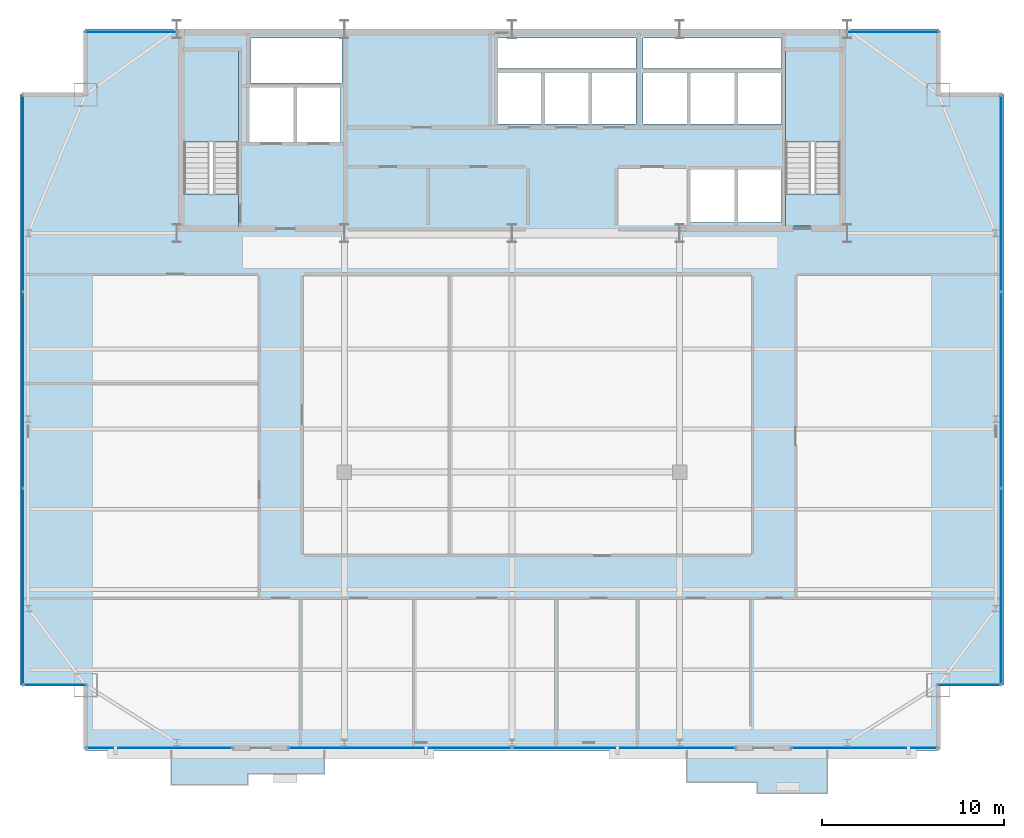
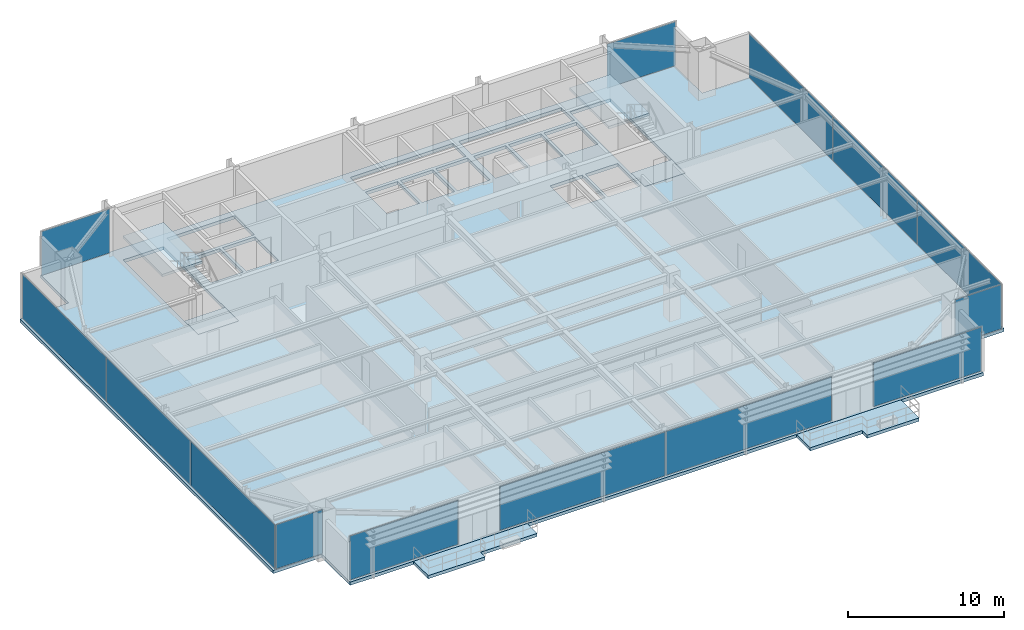
# One storey, part 23 of 30: 14 plates, 7 slabs, 11 elements without a shape of their own.
"""IFC4 building model written with IfcOpenShell, lengths in metres."""

from ifc_helpers import new_model, si_unit, direction, frame, origin, origin_2d, place, context, subcontext, project, spatial, polyline, rectangle, outline, extrude, source, transform, mapped, material, layer, layer_set, type_object, type_shapes, element, aggregate, save


model = new_model("IFC4")

# Units and contexts
model_context = context("Model", 3, precision=1e-05, world=origin(), true_north=direction((0.0, 1.0)))
body_context = subcontext(model_context, "Body", "Model", "MODEL_VIEW")
ifc_project = project(units=[si_unit("LENGTHUNIT", "METRE"), si_unit("AREAUNIT", "SQUARE_METRE"), si_unit("VOLUMEUNIT", "CUBIC_METRE"), si_unit("PLANEANGLEUNIT", "RADIAN"), si_unit("MASSUNIT", "GRAM", prefix="KILO")], contexts=[model_context])

# Site, building, storey
site_placement = place(None, origin())
site = spatial("IfcSite", under=ifc_project, at=site_placement, CompositionType="ELEMENT")
building_placement = place(site_placement, origin())
building = spatial("IfcBuilding", under=site, at=building_placement, Name="Varnel Quay Broadcast Tower", CompositionType="ELEMENT")
storey_placement = place(building_placement, frame((0.0, 0.0, 168.60009765625)))
storey = spatial("IfcBuildingStorey", under=building, at=storey_placement, Name="L41", CompositionType="ELEMENT", Elevation=168.60009765625)

# Slabs
ifc_material_1 = material(Name="Concrete CSA A23.3 C40/50", Category="concrete")
ifc_layer_1 = layer(ifc_material_1, 0.25, Name="Concrete CSA A23.3 C40/50")
ifc_layer_set_1 = layer_set([ifc_layer_1], Name="Concrete CSA A23.3 C40/50")
slab_type_1 = type_object("IfcSlabType", Name="Slab_ExtTerrace250", PredefinedType="FLOOR", material=ifc_layer_set_1)
slab_1_placement = place(storey_placement, frame((0.0, 0.0, -0.25)))
element("IfcSlab", 1, at=slab_1_placement, inside=storey, type_object=slab_type_1, Name="L41 Planted Lobe Terrace Slab 1", PredefinedType="FLOOR", context=body_context, shape_type="SweptSolid", body=[
    extrude(outline(polyline([(15.300048828125, 5.3330078125), (19.5, 5.3330078125), (19.5, 5.93310546875), (23.699951171875, 5.93310546875), (23.699951171875, 7.199951171875), (15.300048828125, 7.199951171875), (15.300048828125, 5.3330078125)])), origin(), (0.0, 0.0, 1.0), 0.25),
])
slab_2_placement = place(storey_placement, frame((0.0, 0.0, -0.25)))
element("IfcSlab", 2, at=slab_2_placement, inside=storey, type_object=slab_type_1, Name="L41 Planted Lobe Terrace Slab 2", PredefinedType="FLOOR", context=body_context, shape_type="SweptSolid", body=[
    extrude(outline(polyline([(43.60009765625, 5.467041015625), (47.449951171875, 5.467041015625), (47.449951171875, 4.866943359375), (51.300048828125, 4.866943359375), (51.300048828125, 7.199951171875), (43.60009765625, 7.199951171875), (43.60009765625, 5.467041015625)])), origin(), (0.0, 0.0, 1.0), 0.25),
])
ifc_material_2 = material(Name="Concrete CSA A23.3 C50/60", Category="concrete")
ifc_layer_2 = layer(ifc_material_2, 0.25, Name="Concrete CSA A23.3 C50/60")
ifc_layer_set_2 = layer_set([ifc_layer_2], Name="Concrete CSA A23.3 C50/60")
slab_type_2 = type_object("IfcSlabType", Name="Slab_Floor250", PredefinedType="FLOOR", material=ifc_layer_set_2)
slab_3_placement = place(storey_placement, frame((0.0, 0.0, -0.25)))
element("IfcSlab", 3, at=slab_3_placement, inside=storey, type_object=slab_type_2, Name="L41 Structural Slab", PredefinedType="FLOOR", context=body_context, shape_type="SweptSolid", body=[
    extrude(outline(polyline([(10.60009765625, 7.199951171875), (57.39990234375, 7.199951171875), (57.39990234375, 10.800048828125), (61.0, 10.800048828125), (61.0, 43.199951171875), (57.39990234375, 43.199951171875), (57.39990234375, 46.800048828125), (10.60009765625, 46.800048828125), (10.60009765625, 43.199951171875), (7.0, 43.199951171875), (7.0, 10.800048828125), (10.60009765625, 10.800048828125), (10.60009765625, 7.199951171875)]), holes=[polyline([(19.0, 36.0), (16.0, 36.0), (16.0, 45.60009765625), (19.0, 45.60009765625), (19.0, 36.0)]), polyline([(19.60009765625, 43.60009765625), (22.0, 43.60009765625), (22.0, 40.60009765625), (19.60009765625, 40.60009765625), (19.60009765625, 43.60009765625)]), polyline([(22.199951171875, 43.60009765625), (24.60009765625, 43.60009765625), (24.60009765625, 40.60009765625), (22.199951171875, 40.60009765625), (22.199951171875, 43.60009765625)]), polyline([(33.199951171875, 44.39990234375), (35.60009765625, 44.39990234375), (35.60009765625, 41.60009765625), (33.199951171875, 41.60009765625), (33.199951171875, 44.39990234375)]), polyline([(35.800048828125, 44.39990234375), (38.199951171875, 44.39990234375), (38.199951171875, 41.60009765625), (35.800048828125, 41.60009765625), (35.800048828125, 44.39990234375)]), polyline([(38.39990234375, 44.39990234375), (40.800048828125, 44.39990234375), (40.800048828125, 41.60009765625), (38.39990234375, 41.60009765625), (38.39990234375, 44.39990234375)]), polyline([(19.64990234375, 46.300048828125), (24.679931640625, 46.300048828125), (24.679931640625, 43.85009765625), (19.64990234375, 43.85009765625), (19.64990234375, 46.300048828125)]), polyline([(33.199951171875, 46.300048828125), (40.800048828125, 46.300048828125), (40.800048828125, 44.64990234375), (33.199951171875, 44.64990234375), (33.199951171875, 46.300048828125)]), polyline([(43.800048828125, 39.10009765625), (46.199951171875, 39.10009765625), (46.199951171875, 36.199951171875), (43.800048828125, 36.199951171875), (43.800048828125, 39.10009765625)]), polyline([(46.39990234375, 39.10009765625), (48.800048828125, 39.10009765625), (48.800048828125, 36.199951171875), (46.39990234375, 36.199951171875), (46.39990234375, 39.10009765625)]), polyline([(49.0, 36.0), (49.0, 45.60009765625), (52.0, 45.60009765625), (52.0, 36.0), (49.0, 36.0)]), polyline([(41.199951171875, 44.39990234375), (43.60009765625, 44.39990234375), (43.60009765625, 41.60009765625), (41.199951171875, 41.60009765625), (41.199951171875, 44.39990234375)]), polyline([(43.800048828125, 44.39990234375), (46.199951171875, 44.39990234375), (46.199951171875, 41.60009765625), (43.800048828125, 41.60009765625), (43.800048828125, 44.39990234375)]), polyline([(46.39990234375, 44.39990234375), (48.800048828125, 44.39990234375), (48.800048828125, 41.60009765625), (46.39990234375, 41.60009765625), (46.39990234375, 44.39990234375)]), polyline([(41.199951171875, 46.300048828125), (48.800048828125, 46.300048828125), (48.800048828125, 44.64990234375), (41.199951171875, 44.64990234375), (41.199951171875, 46.300048828125)])]), origin(), (0.0, 0.0, 1.0), 0.25),
])
ifc_layer_3 = layer(ifc_material_2, 0.25, Name="Concrete CSA A23.3 C50/60")
ifc_layer_set_3 = layer_set([ifc_layer_3], Name="Concrete CSA A23.3 C50/60")
slab_type_3 = type_object("IfcSlabType", Name="Slab_StairFloorLanding250", PredefinedType="FLOOR", material=ifc_layer_set_3)
slab_4_placement = place(storey_placement, frame((0.0, 0.0, -0.25)))
element("IfcSlab", 4, at=slab_4_placement, inside=storey, type_object=slab_type_3, Name="L41 ST-01 Structural Floor Landing Slab", PredefinedType="FLOOR", context=body_context, shape_type="SweptSolid", body=[
    extrude(outline(polyline([(19.0, 36.0), (19.0, 37.75), (16.0, 37.75), (16.0, 36.0), (19.0, 36.0)])), origin(), (0.0, 0.0, 1.0), 0.25),
])
slab_5_placement = place(storey_placement, frame((0.0, 0.0, -0.25)))
element("IfcSlab", 5, at=slab_5_placement, inside=storey, type_object=slab_type_3, Name="L41 ST-02 Structural Floor Landing Slab", PredefinedType="FLOOR", context=body_context, shape_type="SweptSolid", body=[
    extrude(outline(polyline([(52.0, 36.0), (52.0, 37.75), (49.0, 37.75), (49.0, 36.0), (52.0, 36.0)])), origin(), (0.0, 0.0, 1.0), 0.25),
])

# Stair, slab
ifc_material_3 = material(Name="Precast Structural Concrete C40/50", Category="concrete")
stair_type_1 = type_object("IfcStairType", Name="Stair_ST-01", PredefinedType="HALF_TURN_STAIR", material=ifc_material_3)
stair_1_placement = place(storey_placement, origin())
stair_1 = element("IfcStair", 6, at=stair_1_placement, inside=storey, type_object=stair_type_1, Name="L41 West Core Exit Stair 1", PredefinedType="HALF_TURN_STAIR")
ifc_layer_4 = layer(ifc_material_3, 0.199951171875, Name="Precast Structural Concrete C40/50")
ifc_layer_set_4 = layer_set([ifc_layer_4], Name="Precast Structural Concrete C40/50")
slab_type_4 = type_object("IfcSlabType", Name="Slab_StairLanding200", PredefinedType="LANDING", material=ifc_layer_set_4)
slab_6_placement = place(storey_placement, frame((0.0, 0.0, 1.699951171875)))
slab_6 = element("IfcSlab", 7, at=slab_6_placement, type_object=slab_type_4, Name="ST-01 landing 1", PredefinedType="LANDING", context=body_context, shape_type="SweptSolid", body=[
    extrude(outline(polyline([(19.0, 40.60009765625), (19.0, 45.60009765625), (16.0, 45.60009765625), (16.0, 40.60009765625), (19.0, 40.60009765625)])), origin(), (0.0, 0.0, 1.0), 0.199951171875),
])
aggregate(stair_1, [slab_6])

stair_type_2 = type_object("IfcStairType", Name="Stair_ST-02", PredefinedType="HALF_TURN_STAIR", material=ifc_material_3)
stair_2_placement = place(storey_placement, origin())
stair_2 = element("IfcStair", 8, at=stair_2_placement, inside=storey, type_object=stair_type_2, Name="L41 East Core Exit Stair 2", PredefinedType="HALF_TURN_STAIR")
slab_7_placement = place(storey_placement, frame((0.0, 0.0, 1.699951171875)))
slab_7 = element("IfcSlab", 9, at=slab_7_placement, type_object=slab_type_4, Name="ST-02 landing 1", PredefinedType="LANDING", context=body_context, shape_type="SweptSolid", body=[
    extrude(outline(polyline([(52.0, 40.60009765625), (52.0, 45.60009765625), (49.0, 45.60009765625), (49.0, 40.60009765625), (52.0, 40.60009765625)])), origin(), (0.0, 0.0, 1.0), 0.199951171875),
])
aggregate(stair_2, [slab_7])

# Curtain wall, plate
ifc_material_4 = material(Name="Anodised Bronze Aluminium 6063-T6", Category="aluminium")
ifc_layer_5 = layer(ifc_material_4, 0.18994140625, Name="Anodised Bronze Aluminium 6063-T6")
ifc_layer_set_5 = layer_set([ifc_layer_5], Name="Anodised Bronze Aluminium 6063-T6")
curtain_wall_type_1 = type_object("IfcCurtainWallType", Name="CW_NotchCorner", PredefinedType="NOTDEFINED", material=ifc_layer_set_5)
curtain_wall_1_placement = place(storey_placement, origin())
curtain_wall_1 = element("IfcCurtainWall", 10, at=curtain_wall_1_placement, inside=storey, type_object=curtain_wall_type_1, Name="L41 SW Notch Curtain Wall", PredefinedType="NOTDEFINED")
ifc_material_5 = material(Name="Triple-Glazed Bronze Low-E Architectural Glass", Category="glass")
ifc_layer_6 = layer(ifc_material_5, 0.028076171875, Name="Triple-Glazed Bronze Low-E Architectural Glass")
ifc_layer_set_6 = layer_set([ifc_layer_6], Name="Triple-Glazed Bronze Low-E Architectural Glass")
plate_type_1 = type_object("IfcPlateType", Name="Panel_CWS-04", PredefinedType="CURTAIN_PANEL", material=ifc_layer_set_6)
shared_shape_1 = source(origin(), body_context, "Body", "SweptSolid", [
    extrude(rectangle(XDim=3.409912109375, YDim=0.028076171875, at=origin_2d()), origin(), (0.0, 0.0, 1.0), 3.43994140625),
])
type_shapes(plate_type_1, [shared_shape_1])
plate_1_placement = place(storey_placement, frame((8.9150390625, 10.800048828125, 0.054931640625), z_axis=(0.0, 0.0, 1.0), x_axis=(1.0, 0.0, 0.0)))
plate_1 = element("IfcPlate", 11, at=plate_1_placement, type_object=plate_type_1, Name="CWS-04 panel 1.1", PredefinedType="CURTAIN_PANEL", context=body_context, shape_type="MappedRepresentation", body=[
    mapped(shared_shape_1, transform((0.0, 0.0, 0.0), x_axis=(1.0, 0.0, 0.0), y_axis=(0.0, 1.0, 0.0), z_axis=(0.0, 0.0, 1.0), scale=1.0)),
])
aggregate(curtain_wall_1, [plate_1])

curtain_wall_2_placement = place(storey_placement, origin())
curtain_wall_2 = element("IfcCurtainWall", 12, at=curtain_wall_2_placement, inside=storey, type_object=curtain_wall_type_1, Name="L41 SE Notch Curtain Wall", PredefinedType="NOTDEFINED")
plate_2_placement = place(storey_placement, frame((59.0849609375, 10.800048828125, 0.054931640625), z_axis=(0.0, 0.0, 1.0), x_axis=(1.0, 0.0, 0.0)))
plate_2 = element("IfcPlate", 13, at=plate_2_placement, type_object=plate_type_1, Name="CWS-04 panel 1.1", PredefinedType="CURTAIN_PANEL", context=body_context, shape_type="MappedRepresentation", body=[
    mapped(shared_shape_1, transform((0.0, 0.0, 0.0), x_axis=(1.0, 0.0, 0.0), y_axis=(0.0, 1.0, 0.0), z_axis=(0.0, 0.0, 1.0), scale=1.0)),
])
aggregate(curtain_wall_2, [plate_2])

ifc_layer_7 = layer(ifc_material_4, 0.18994140625, Name="Anodised Bronze Aluminium 6063-T6")
ifc_layer_set_7 = layer_set([ifc_layer_7], Name="Anodised Bronze Aluminium 6063-T6")
curtain_wall_type_2 = type_object("IfcCurtainWallType", Name="CW_UpperTower", PredefinedType="NOTDEFINED", material=ifc_layer_set_7)
curtain_wall_3_placement = place(storey_placement, origin())
curtain_wall_3 = element("IfcCurtainWall", 14, at=curtain_wall_3_placement, inside=storey, type_object=curtain_wall_type_2, Name="L41 West Unitised Curtain Wall", PredefinedType="NOTDEFINED")
ifc_material_6 = material(Name="Insulated Bronze Spandrel Glass", Category="glass")
ifc_layer_8 = layer(ifc_material_6, 0.030029296875, Name="Insulated Bronze Spandrel Glass")
ifc_layer_set_8 = layer_set([ifc_layer_8], Name="Insulated Bronze Spandrel Glass")
plate_type_2 = type_object("IfcPlateType", Name="PanelSp_CWS-03", PredefinedType="CURTAIN_PANEL", material=ifc_layer_set_8)
shared_shape_2 = source(origin(), body_context, "Body", "SweptSolid", [
    extrude(rectangle(XDim=10.702392578125, YDim=0.030029296875, at=origin_2d()), origin(), (0.0, 0.0, 1.0), 3.429931640625),
])
plate_3_placement = place(storey_placement, frame((7.14990234375, 16.21630859375, 0.06005859375), z_axis=(0.0, 0.0, 1.0), x_axis=(0.0, 1.0, 0.0)))
plate_3 = element("IfcPlate", 15, at=plate_3_placement, type_object=plate_type_2, Name="CWS-03 panel 1.1", PredefinedType="CURTAIN_PANEL", context=body_context, shape_type="MappedRepresentation", body=[
    mapped(shared_shape_2, transform((0.0, 0.0, 0.0), x_axis=(1.0, 0.0, 0.0), y_axis=(0.0, 1.0, 0.0), z_axis=(0.0, 0.0, 1.0), scale=1.0)),
])

curtain_wall_4_placement = place(storey_placement, origin())
curtain_wall_4 = element("IfcCurtainWall", 16, at=curtain_wall_4_placement, inside=storey, type_object=curtain_wall_type_2, Name="L41 East Unitised Curtain Wall", PredefinedType="NOTDEFINED")
plate_4_placement = place(storey_placement, frame((60.85009765625, 16.21630859375, 0.06005859375), z_axis=(0.0, 0.0, 1.0), x_axis=(0.0, 1.0, 0.0)))
plate_4 = element("IfcPlate", 17, at=plate_4_placement, type_object=plate_type_2, Name="CWS-03 panel 1.1", PredefinedType="CURTAIN_PANEL", context=body_context, shape_type="MappedRepresentation", body=[
    mapped(shared_shape_2, transform((0.0, 0.0, 0.0), x_axis=(1.0, 0.0, 0.0), y_axis=(0.0, 1.0, 0.0), z_axis=(0.0, 0.0, 1.0), scale=1.0)),
])

# Plate
shared_shape_3 = source(origin(), body_context, "Body", "SweptSolid", [
    extrude(rectangle(XDim=10.735107421875, YDim=0.030029296875, at=origin_2d()), origin(), (0.0, 0.0, 1.0), 3.429931640625),
])
plate_5_placement = place(storey_placement, frame((7.14990234375, 27.0, 0.06005859375), z_axis=(0.0, 0.0, 1.0), x_axis=(0.0, 1.0, 0.0)))
plate_5 = element("IfcPlate", 18, at=plate_5_placement, type_object=plate_type_2, Name="CWS-03 panel 2.1", PredefinedType="CURTAIN_PANEL", context=body_context, shape_type="MappedRepresentation", body=[
    mapped(shared_shape_3, transform((0.0, 0.0, 0.0), x_axis=(1.0, 0.0, 0.0), y_axis=(0.0, 1.0, 0.0), z_axis=(0.0, 0.0, 1.0), scale=1.0)),
])

plate_6_placement = place(storey_placement, frame((60.85009765625, 27.0, 0.06005859375), z_axis=(0.0, 0.0, 1.0), x_axis=(0.0, 1.0, 0.0)))
plate_6 = element("IfcPlate", 19, at=plate_6_placement, type_object=plate_type_2, Name="CWS-03 panel 2.1", PredefinedType="CURTAIN_PANEL", context=body_context, shape_type="MappedRepresentation", body=[
    mapped(shared_shape_3, transform((0.0, 0.0, 0.0), x_axis=(1.0, 0.0, 0.0), y_axis=(0.0, 1.0, 0.0), z_axis=(0.0, 0.0, 1.0), scale=1.0)),
])

# Curtain wall, plate
curtain_wall_5_placement = place(storey_placement, origin())
curtain_wall_5 = element("IfcCurtainWall", 20, at=curtain_wall_5_placement, inside=storey, type_object=curtain_wall_type_2, Name="L41 NW Wing Curtain Wall", PredefinedType="NOTDEFINED")
ifc_layer_9 = layer(ifc_material_5, 0.030029296875, Name="Triple-Glazed Bronze Low-E Architectural Glass")
ifc_layer_set_9 = layer_set([ifc_layer_9], Name="Triple-Glazed Bronze Low-E Architectural Glass")
plate_type_3 = type_object("IfcPlateType", Name="Panel_CWS-03", PredefinedType="CURTAIN_PANEL", material=ifc_layer_set_9)
shared_shape_4 = source(origin(), body_context, "Body", "SweptSolid", [
    extrude(rectangle(XDim=5.050048828125, YDim=0.030029296875, at=origin_2d()), origin(), (0.0, 0.0, 1.0), 3.429931640625),
])
plate_7_placement = place(storey_placement, frame((13.110107421875, 46.64990234375, 0.06005859375), z_axis=(0.0, 0.0, 1.0), x_axis=(1.0, 0.0, 0.0)))
plate_7 = element("IfcPlate", 21, at=plate_7_placement, type_object=plate_type_3, Name="CWS-03 panel 1.1", PredefinedType="CURTAIN_PANEL", context=body_context, shape_type="MappedRepresentation", body=[
    mapped(shared_shape_4, transform((0.0, 0.0, 0.0), x_axis=(1.0, 0.0, 0.0), y_axis=(0.0, 1.0, 0.0), z_axis=(0.0, 0.0, 1.0), scale=1.0)),
])
aggregate(curtain_wall_5, [plate_7])

curtain_wall_6_placement = place(storey_placement, origin())
curtain_wall_6 = element("IfcCurtainWall", 22, at=curtain_wall_6_placement, inside=storey, type_object=curtain_wall_type_2, Name="L41 NE Wing Curtain Wall", PredefinedType="NOTDEFINED")
plate_8_placement = place(storey_placement, frame((54.889892578125, 46.64990234375, 0.06005859375), z_axis=(0.0, 0.0, 1.0), x_axis=(1.0, 0.0, 0.0)))
plate_8 = element("IfcPlate", 23, at=plate_8_placement, type_object=plate_type_3, Name="CWS-03 panel 1.1", PredefinedType="CURTAIN_PANEL", context=body_context, shape_type="MappedRepresentation", body=[
    mapped(shared_shape_4, transform((0.0, 0.0, 0.0), x_axis=(1.0, 0.0, 0.0), y_axis=(0.0, 1.0, 0.0), z_axis=(0.0, 0.0, 1.0), scale=1.0)),
])
aggregate(curtain_wall_6, [plate_8])

# Plate
shared_shape_5 = source(origin(), body_context, "Body", "SweptSolid", [
    extrude(rectangle(XDim=10.702392578125, YDim=0.030029296875, at=origin_2d()), origin(), (0.0, 0.0, 1.0), 3.429931640625),
])
plate_9_placement = place(storey_placement, frame((7.14990234375, 37.78369140625, 0.06005859375), z_axis=(0.0, 0.0, 1.0), x_axis=(0.0, 1.0, 0.0)))
plate_9 = element("IfcPlate", 24, at=plate_9_placement, type_object=plate_type_3, Name="CWS-03 panel 3.1", PredefinedType="CURTAIN_PANEL", context=body_context, shape_type="MappedRepresentation", body=[
    mapped(shared_shape_5, transform((0.0, 0.0, 0.0), x_axis=(1.0, 0.0, 0.0), y_axis=(0.0, 1.0, 0.0), z_axis=(0.0, 0.0, 1.0), scale=1.0)),
])

aggregate(curtain_wall_3, [plate_3, plate_5, plate_9])

plate_10_placement = place(storey_placement, frame((60.85009765625, 37.78369140625, 0.06005859375), z_axis=(0.0, 0.0, 1.0), x_axis=(0.0, 1.0, 0.0)))
plate_10 = element("IfcPlate", 25, at=plate_10_placement, type_object=plate_type_3, Name="CWS-03 panel 3.1", PredefinedType="CURTAIN_PANEL", context=body_context, shape_type="MappedRepresentation", body=[
    mapped(shared_shape_5, transform((0.0, 0.0, 0.0), x_axis=(1.0, 0.0, 0.0), y_axis=(0.0, 1.0, 0.0), z_axis=(0.0, 0.0, 1.0), scale=1.0)),
])

aggregate(curtain_wall_4, [plate_4, plate_6, plate_10])

# Curtain wall, plate
curtain_wall_7_placement = place(storey_placement, origin())
curtain_wall_7 = element("IfcCurtainWall", 26, at=curtain_wall_7_placement, inside=storey, type_object=curtain_wall_type_2, Name="L41 South Unitised Curtain Wall 1", PredefinedType="NOTDEFINED")
shared_shape_6 = source(origin(), body_context, "Body", "SweptSolid", [
    extrude(rectangle(XDim=7.989990234375, YDim=0.030029296875, at=origin_2d()), origin(), (0.0, 0.0, 1.0), 3.429931640625),
])
type_shapes(plate_type_3, [shared_shape_4, shared_shape_5, shared_shape_6])
plate_11_placement = place(storey_placement, frame((14.659912109375, 7.35009765625, 0.06005859375), z_axis=(0.0, 0.0, 1.0), x_axis=(1.0, 0.0, 0.0)))
plate_11 = element("IfcPlate", 27, at=plate_11_placement, type_object=plate_type_3, Name="CWS-03 panel 1.1", PredefinedType="CURTAIN_PANEL", context=body_context, shape_type="MappedRepresentation", body=[
    mapped(shared_shape_6, transform((0.0, 0.0, 0.0), x_axis=(1.0, 0.0, 0.0), y_axis=(0.0, 1.0, 0.0), z_axis=(0.0, 0.0, 1.0), scale=1.0)),
])
aggregate(curtain_wall_7, [plate_11])

curtain_wall_8_placement = place(storey_placement, origin())
curtain_wall_8 = element("IfcCurtainWall", 28, at=curtain_wall_8_placement, inside=storey, type_object=curtain_wall_type_2, Name="L41 South Unitised Curtain Wall 3", PredefinedType="NOTDEFINED")
plate_12_placement = place(storey_placement, frame((53.340087890625, 7.35009765625, 0.06005859375), z_axis=(0.0, 0.0, 1.0), x_axis=(1.0, 0.0, 0.0)))
plate_12 = element("IfcPlate", 29, at=plate_12_placement, type_object=plate_type_3, Name="CWS-03 panel 1.1", PredefinedType="CURTAIN_PANEL", context=body_context, shape_type="MappedRepresentation", body=[
    mapped(shared_shape_6, transform((0.0, 0.0, 0.0), x_axis=(1.0, 0.0, 0.0), y_axis=(0.0, 1.0, 0.0), z_axis=(0.0, 0.0, 1.0), scale=1.0)),
])
aggregate(curtain_wall_8, [plate_12])

# Curtain wall, plates
curtain_wall_9_placement = place(storey_placement, origin())
curtain_wall_9 = element("IfcCurtainWall", 30, at=curtain_wall_9_placement, inside=storey, type_object=curtain_wall_type_2, Name="L41 South Unitised Curtain Wall 2", PredefinedType="NOTDEFINED")
shared_shape_7 = source(origin(), body_context, "Body", "SweptSolid", [
    extrude(rectangle(XDim=12.222412109375, YDim=0.030029296875, at=origin_2d()), origin(), (0.0, 0.0, 1.0), 3.429931640625),
])
type_shapes(plate_type_2, [shared_shape_2, shared_shape_3, shared_shape_7])
plate_13_placement = place(storey_placement, frame((27.856201171875, 7.35009765625, 0.06005859375), z_axis=(0.0, 0.0, 1.0), x_axis=(1.0, 0.0, 0.0)))
plate_13 = element("IfcPlate", 31, at=plate_13_placement, type_object=plate_type_2, Name="CWS-03 panel 1.1", PredefinedType="CURTAIN_PANEL", context=body_context, shape_type="MappedRepresentation", body=[
    mapped(shared_shape_7, transform((0.0, 0.0, 0.0), x_axis=(1.0, 0.0, 0.0), y_axis=(0.0, 1.0, 0.0), z_axis=(0.0, 0.0, 1.0), scale=1.0)),
])
plate_14_placement = place(storey_placement, frame((40.143798828125, 7.35009765625, 0.06005859375), z_axis=(0.0, 0.0, 1.0), x_axis=(1.0, 0.0, 0.0)))
plate_14 = element("IfcPlate", 32, at=plate_14_placement, type_object=plate_type_2, Name="CWS-03 panel 2.1", PredefinedType="CURTAIN_PANEL", context=body_context, shape_type="MappedRepresentation", body=[
    mapped(shared_shape_7, transform((0.0, 0.0, 0.0), x_axis=(1.0, 0.0, 0.0), y_axis=(0.0, 1.0, 0.0), z_axis=(0.0, 0.0, 1.0), scale=1.0)),
])
aggregate(curtain_wall_9, [plate_13, plate_14])

save(model, "model.ifc")
